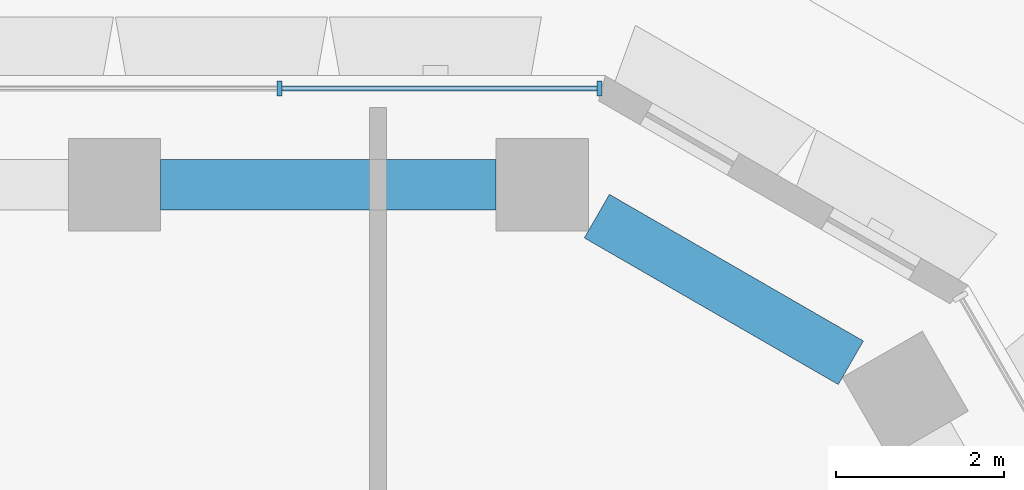
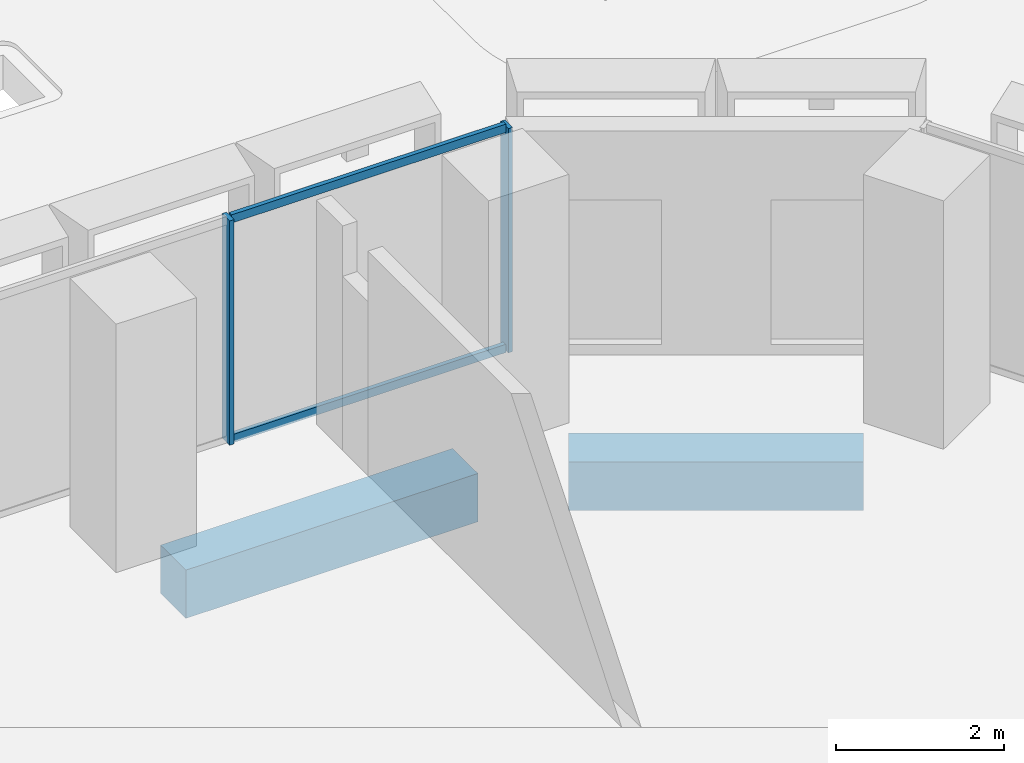
# One storey, part 10 of 38: 4 members, 2 beams, 1 element without a shape of its own.
"""IFC4 building model written with IfcOpenShell, lengths in metres."""

from ifc_helpers import new_model, si_unit, direction, frame, origin, origin_2d, place, context, subcontext, project, spatial, rectangle, hollow_rectangle, extrude, material, material_profile, profile_set, type_object, element, aggregate, save


model = new_model("IFC4")

# Units and contexts
model_context = context("Model", 3, precision=1e-05, world=origin(), true_north=direction((0.0, 1.0)))
body_context = subcontext(model_context, "Body", "Model", "MODEL_VIEW")
ifc_project = project(units=[si_unit("LENGTHUNIT", "METRE"), si_unit("AREAUNIT", "SQUARE_METRE"), si_unit("VOLUMEUNIT", "CUBIC_METRE"), si_unit("PLANEANGLEUNIT", "RADIAN"), si_unit("MASSUNIT", "GRAM", prefix="KILO")], contexts=[model_context])

# Site, building, storey
site_placement = place(None, origin())
site = spatial("IfcSite", under=ifc_project, at=site_placement, CompositionType="ELEMENT")
building_placement = place(site_placement, origin())
building = spatial("IfcBuilding", under=site, at=building_placement, Name="Beryl Residences", CompositionType="ELEMENT")
storey_placement = place(building_placement, frame((0.0, 0.0, 9.0)))
storey = spatial("IfcBuildingStorey", under=building, at=storey_placement, Name="L02", CompositionType="ELEMENT", Elevation=9.0)

# Curtain wall, members
ifc_material_1 = material(Name="Aluminium and clear glass", Category="aluminium")
curtain_wall_type = type_object("IfcCurtainWallType", Name="CW2 amenity glazing glazed wall", PredefinedType="NOTDEFINED", material=ifc_material_1)
curtain_wall_placement = place(storey_placement, origin())
curtain_wall = element("IfcCurtainWall", 1, at=curtain_wall_placement, inside=storey, type_object=curtain_wall_type, Name="CW2 L02 N", PredefinedType="NOTDEFINED")
ifc_material_2 = material(Name="Aluminium", Category="aluminium")
ifc_material_profile_1 = material_profile(ifc_material_2, rectangle(XDim=0.06005859375, YDim=0.179931640625, at=origin_2d()))
ifc_profile_set_1 = profile_set([ifc_material_profile_1], Name="Aluminium")
member_type_1 = type_object("IfcMemberType", Name="CW2-M mullion 60 x 180 mm", PredefinedType="MULLION", material=ifc_profile_set_1)
member_1_placement = place(storey_placement, frame((13.43994140625, 28.25, 0.0), z_axis=(0.0, 0.0, 1.0), x_axis=(-1.0, 0.0, 0.0)))
member_1 = element("IfcMember", 2, at=member_1_placement, type_object=member_type_1, Name="CW2 mullion 1", PredefinedType="MULLION", context=body_context, shape_type="SweptSolid", body=[
    extrude(rectangle(XDim=0.06005859375, YDim=0.179931640625, at=origin_2d()), origin(), (0.0, 0.0, 1.0), 3.25),
])
member_2_placement = place(storey_placement, frame((9.621337890625, 28.25, 0.0), z_axis=(0.0, 0.0, 1.0), x_axis=(-1.0, 0.0, 0.0)))
member_2 = element("IfcMember", 3, at=member_2_placement, type_object=member_type_1, Name="CW2 mullion 2", PredefinedType="MULLION", context=body_context, shape_type="SweptSolid", body=[
    extrude(rectangle(XDim=0.06005859375, YDim=0.179931640625, at=origin_2d()), origin(), (0.0, 0.0, 1.0), 3.25),
])
ifc_material_3 = material(Name="Aluminium", Category="aluminium")
ifc_material_profile_2 = material_profile(ifc_material_3, hollow_rectangle(XDim=0.06005859375, YDim=0.1201171875, WallThickness=0.00390625, at=origin_2d()))
ifc_profile_set_2 = profile_set([ifc_material_profile_2], Name="Aluminium")
member_type_2 = type_object("IfcMemberType", Name="CW2-T transom 60 x 120 mm", PredefinedType="USERDEFINED", material=ifc_profile_set_2)
member_3_placement = place(storey_placement, frame((13.409912109375, 28.25, 0.030029296875), z_axis=(-1.0, 0.0, 0.0), x_axis=(0.0, -1.0, 0.0)))
member_3 = element("IfcMember", 4, at=member_3_placement, type_object=member_type_2, Name="CW2 transom 1.1", ObjectType="TRANSOM", PredefinedType="USERDEFINED", context=body_context, shape_type="SweptSolid", body=[
    extrude(hollow_rectangle(XDim=0.06005859375, YDim=0.1201171875, WallThickness=0.00390625, at=origin_2d()), origin(), (0.0, 0.0, 1.0), 3.758544921875),
])
member_4_placement = place(storey_placement, frame((13.409912109375, 28.25, 3.219970703125), z_axis=(-1.0, 0.0, 0.0), x_axis=(0.0, -1.0, 0.0)))
member_4 = element("IfcMember", 5, at=member_4_placement, type_object=member_type_2, Name="CW2 transom 1.2", ObjectType="TRANSOM", PredefinedType="USERDEFINED", context=body_context, shape_type="SweptSolid", body=[
    extrude(hollow_rectangle(XDim=0.06005859375, YDim=0.1201171875, WallThickness=0.00390625, at=origin_2d()), origin(), (0.0, 0.0, 1.0), 3.758544921875),
])
aggregate(curtain_wall, [member_1, member_2, member_3, member_4])

# Beams
ifc_material_4 = material(Name="Concrete C80/95", Category="concrete")
ifc_material_profile_3 = material_profile(ifc_material_4, rectangle(XDim=0.60009765625, YDim=0.699951171875, at=origin_2d()))
ifc_profile_set_3 = profile_set([ifc_material_profile_3], Name="Concrete C80/95")
beam_type = type_object("IfcBeamType", Name="SB1 spandrel beam 600 x 700 C80/95", PredefinedType="SPANDREL", material=ifc_profile_set_3)
beam_1_placement = place(storey_placement, frame((12.208984375, 27.10009765625, -0.85009765625), z_axis=(-1.0, 0.0, 0.0), x_axis=(0.0, -1.0, 0.0)))
element("IfcBeam", 6, at=beam_1_placement, inside=storey, type_object=beam_type, Name="SB1 L02 N-0", PredefinedType="SPANDREL", context=body_context, shape_type="SweptSolid", body=[
    extrude(rectangle(XDim=0.60009765625, YDim=0.699951171875, at=origin_2d()), origin(), (0.0, 0.0, 1.0), 4.00390625),
])
beam_2_placement = place(storey_placement, frame((16.43896484375, 24.97607421875, -0.85009765625), z_axis=(-0.866070549782, 0.499921796684, 0.0), x_axis=(-0.499921796684, -0.866070549782, 0.0)))
element("IfcBeam", 7, at=beam_2_placement, inside=storey, type_object=beam_type, Name="SB1 L02 NE-5", PredefinedType="SPANDREL", context=body_context, shape_type="SweptSolid", body=[
    extrude(rectangle(XDim=0.60009765625, YDim=0.699951171875, at=origin_2d()), origin(), (0.0, 0.0, 1.0), 3.49853515625),
])

save(model, "model.ifc")
